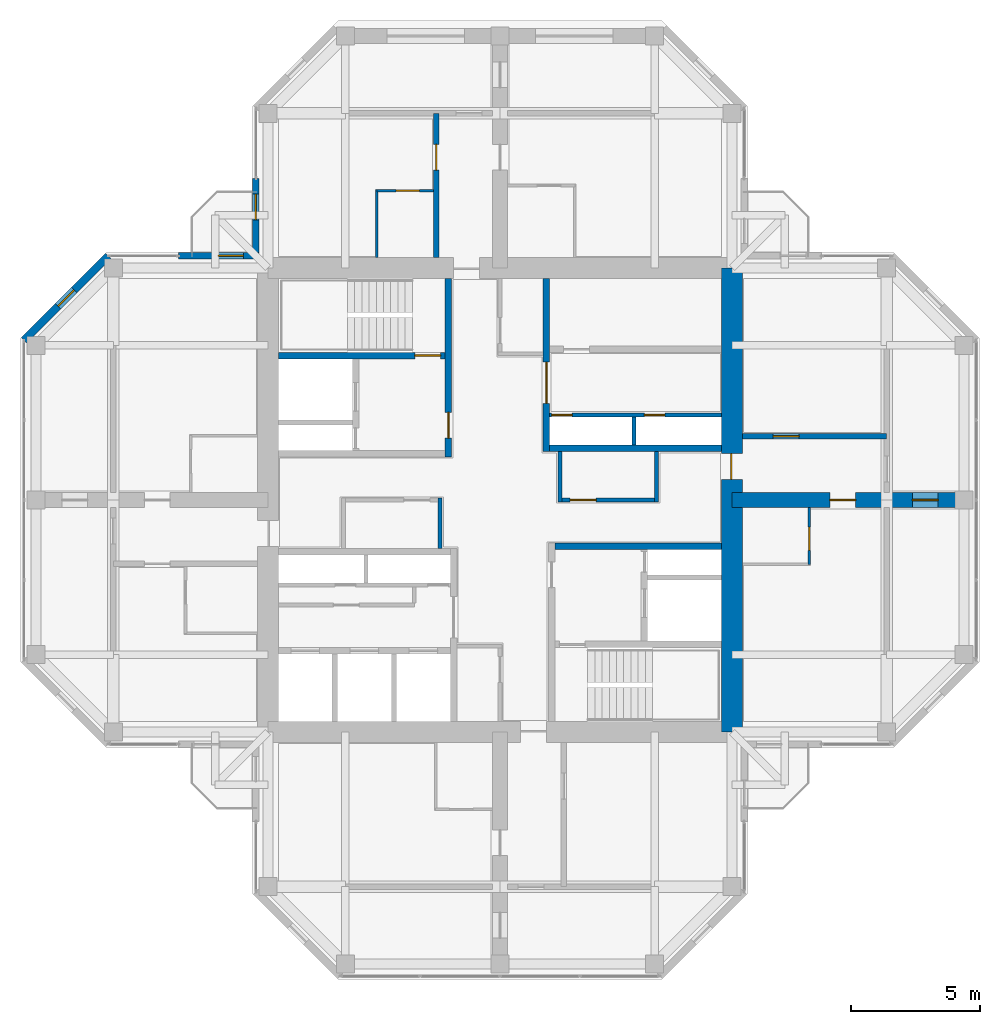
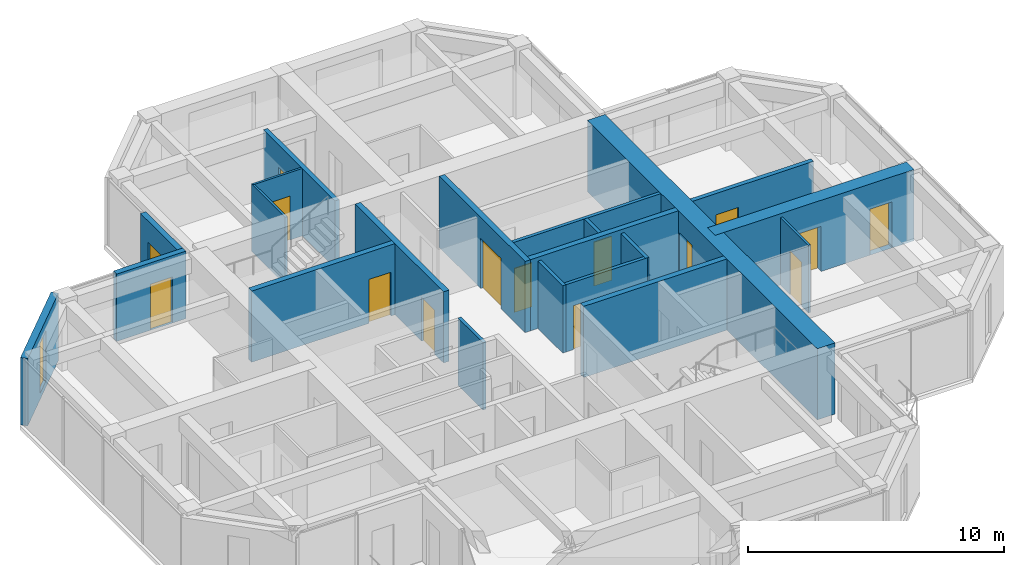
# One storey, part 10 of 13: 21 walls, 15 doors, 1 window, 16 openings.
"""IFC4 building model written with IfcOpenShell, lengths in metres."""

from ifc_helpers import new_model, si_unit, direction, frame, frame_2d, origin, place, context, subcontext, project, spatial, rectangle, hollow_rectangle, extrude, material, layer, layer_set, constituent, constituent_set, type_object, element, fill, save


model = new_model("IFC4")

# Units and contexts
model_context = context("Model", 3, precision=1e-05, world=origin(), true_north=direction((0.0, 1.0)))
body_context = subcontext(model_context, "Body", "Model", "MODEL_VIEW")
ifc_project = project(units=[si_unit("LENGTHUNIT", "METRE"), si_unit("AREAUNIT", "SQUARE_METRE"), si_unit("VOLUMEUNIT", "CUBIC_METRE"), si_unit("PLANEANGLEUNIT", "RADIAN"), si_unit("MASSUNIT", "GRAM", prefix="KILO")], contexts=[model_context])

# Site, building, storey
site_placement = place(None, origin())
site = spatial("IfcSite", under=ifc_project, at=site_placement, CompositionType="ELEMENT")
building_placement = place(site_placement, origin())
building = spatial("IfcBuilding", under=site, at=building_placement, Name="Torre Cruceta", CompositionType="ELEMENT")
storey_placement = place(building_placement, frame((0.0, 0.0, 271.300048828125)))
storey = spatial("IfcBuildingStorey", under=building, at=storey_placement, Name="L70", CompositionType="ELEMENT", Elevation=271.300048828125)

# Wall
ifc_material_1 = material(Name="Water-resistant plasterboard on steel studs", Category="steel")
ifc_layer_1 = layer(ifc_material_1, 0.10009765625)
ifc_layer_set_1 = layer_set([ifc_layer_1], Name="Water-resistant plasterboard on steel studs")
wall_type_1 = type_object("IfcWallType", Name="BATHROOM WALL 100", PredefinedType="PARTITIONING", material=ifc_layer_set_1)
wall_1_placement = place(storey_placement, frame((-4.77490234375, 9.39990234375, 0.0), z_axis=(0.0, 0.0, 1.0), x_axis=(0.0, 1.0, 0.0)))
element("IfcWall", 1, at=wall_1_placement, inside=storey, type_object=wall_type_1, Name="PT4 L70-N-U1LBB", PredefinedType="PARTITIONING", context=body_context, shape_type="SweptSolid", body=[
    extrude(rectangle(XDim=2.650146484375, YDim=0.10009765625, at=frame_2d((1.3251953125, 0.0))), origin(), (0.0, 0.0, 1.0), 3.219970703125),
])

# Wall, opening, door
wall_2_placement = place(storey_placement, frame((-2.574951171875, 12.0, 0.0), z_axis=(0.0, 0.0, 1.0), x_axis=(-1.0, 0.0, 0.0)))
wall_2 = element("IfcWall", 2, at=wall_2_placement, inside=storey, type_object=wall_type_1, Name="PT4 L70-N-U1LBS", PredefinedType="PARTITIONING", context=body_context, shape_type="SweptSolid", body=[
    extrude(rectangle(XDim=2.199951171875, YDim=0.10009765625, at=frame_2d((1.10009765625, 0.0))), origin(), (0.0, 0.0, 1.0), 3.219970703125),
])
opening_1_placement = place(wall_2_placement, frame((0.550048828125, 0.0, 0.0)))
opening_1 = element("IfcOpeningElement", 3, at=opening_1_placement, cuts=wall_2, Name="Opening D7", PredefinedType="OPENING", context=body_context, shape_type="SweptSolid", body=[
    extrude(rectangle(XDim=0.89990234375, YDim=2.10009765625, at=frame_2d((0.449951171875, 1.050048828125))), frame((0.0, 0.06005859375, 0.0), z_axis=(0.0, -1.0, 0.0), x_axis=(1.0, 0.0, 0.0)), (0.0, 0.0, 1.0), 0.1201171875),
])
ifc_material_2 = material(Name="Timber door", Category="wood")
door_type_1 = type_object("IfcDoorType", Name="BATHROOM DOOR 900X2100", OperationType="SINGLE_SWING_LEFT", PredefinedType="DOOR", material=ifc_material_2)
door_1_placement = place(opening_1_placement, origin())
door_1 = element("IfcDoor", 4, at=door_1_placement, inside=storey, type_object=door_type_1, Name="D7 L70-N-U1LBS-D1", OperationType="SINGLE_SWING_LEFT", OverallHeight=2.10009765625, OverallWidth=0.89990234375, PredefinedType="DOOR", context=body_context, shape_type="SweptSolid", body=[
    extrude(rectangle(XDim=0.89990234375, YDim=2.10009765625, at=frame_2d((0.449951171875, 1.050048828125))), frame((0.0, 0.02490234375, 0.0), z_axis=(0.0, -1.0, 0.0), x_axis=(1.0, 0.0, 0.0)), (0.0, 0.0, 1.0), 0.050048828125),
])
fill(opening_1, door_1)

wall_3_placement = place(storey_placement, frame((12.0, -2.5, 0.0), z_axis=(0.0, 0.0, 1.0), x_axis=(0.0, 1.0, 0.0)))
wall_3 = element("IfcWall", 5, at=wall_3_placement, inside=storey, type_object=wall_type_1, Name="PT4 L70-E-U1RBS", PredefinedType="PARTITIONING", context=body_context, shape_type="SweptSolid", body=[
    extrude(rectangle(XDim=2.199951171875, YDim=0.10009765625, at=frame_2d((1.10009765625, 0.0))), origin(), (0.0, 0.0, 1.0), 3.219970703125),
])
opening_2_placement = place(wall_3_placement, frame((0.550048828125, 0.0, 0.0)))
opening_2 = element("IfcOpeningElement", 6, at=opening_2_placement, cuts=wall_3, Name="Opening D7", PredefinedType="OPENING", context=body_context, shape_type="SweptSolid", body=[
    extrude(rectangle(XDim=0.89990234375, YDim=2.10009765625, at=frame_2d((0.449951171875, 1.050048828125))), frame((0.0, 0.06005859375, 0.0), z_axis=(0.0, -1.0, 0.0), x_axis=(1.0, 0.0, 0.0)), (0.0, 0.0, 1.0), 0.1201171875),
])
door_2_placement = place(opening_2_placement, origin())
door_2 = element("IfcDoor", 7, at=door_2_placement, inside=storey, type_object=door_type_1, Name="D7 L70-E-U1RBS-D1", OperationType="SINGLE_SWING_LEFT", OverallHeight=2.10009765625, OverallWidth=0.89990234375, PredefinedType="DOOR", context=body_context, shape_type="SweptSolid", body=[
    extrude(rectangle(XDim=0.89990234375, YDim=2.10009765625, at=frame_2d((0.449951171875, 1.050048828125))), frame((0.0, 0.02490234375, 0.0), z_axis=(0.0, -1.0, 0.0), x_axis=(1.0, 0.0, 0.0)), (0.0, 0.0, 1.0), 0.050048828125),
])
fill(opening_2, door_2)

ifc_material_3 = material(Name="Concrete G60 (fck 60 MPa)", Category="concrete")
ifc_layer_2 = layer(ifc_material_3, 0.25)
ifc_layer_set_2 = layer_set([ifc_layer_2], Name="Concrete G60 (fck 60 MPa)")
wall_type_2 = type_object("IfcWallType", Name="CORE INNER WALL 250 G60", PredefinedType="SHEAR", material=ifc_layer_set_2)
wall_4_placement = place(storey_placement, frame((1.800048828125, 1.875, 0.0), z_axis=(0.0, 0.0, 1.0), x_axis=(0.0, 1.0, 0.0)))
wall_4 = element("IfcWall", 8, at=wall_4_placement, inside=storey, type_object=wall_type_2, Name="CW4 L70 NE-CU", PredefinedType="SHEAR", context=body_context, shape_type="SweptSolid", body=[
    extrude(rectangle(XDim=6.72509765625, YDim=0.25, at=frame_2d((3.362548828125, 0.0))), origin(), (0.0, 0.0, 1.0), 3.39990234375),
])
opening_3_placement = place(wall_4_placement, frame((1.875, 0.0, 0.0)))
opening_3 = element("IfcOpeningElement", 9, at=opening_3_placement, cuts=wall_4, Name="Opening D15", PredefinedType="OPENING", context=body_context, shape_type="SweptSolid", body=[
    extrude(rectangle(XDim=1.60009765625, YDim=2.39990234375, at=frame_2d((0.800048828125, 1.199951171875))), frame((0.0, 0.135009765625, 0.0), z_axis=(0.0, -1.0, 0.0), x_axis=(1.0, 0.0, 0.0)), (0.0, 0.0, 1.0), 0.27001953125),
])
ifc_material_4 = material(Name="Steel DX51D", Category="steel")
ifc_constituent_1 = constituent(ifc_material_4, Name="Leaf and frame")
ifc_material_5 = material(Name="Polyester powder coating", Category="paint")
ifc_constituent_2 = constituent(ifc_material_5, Name="Finish")
ifc_constituent_set_1 = constituent_set(constituents=[ifc_constituent_1, ifc_constituent_2], Name="Steel fire door")
door_type_2 = type_object("IfcDoorType", Name="CORE ROOM DOUBLE DOOR 1600X2400", OperationType="DOUBLE_DOOR_SINGLE_SWING", PredefinedType="DOOR", material=ifc_constituent_set_1)
door_3_placement = place(opening_3_placement, frame((1.60009765625, 0.0, 0.0), z_axis=(0.0, 0.0, 1.0), x_axis=(-1.0, 0.0, 0.0)))
door_3 = element("IfcDoor", 10, at=door_3_placement, inside=storey, type_object=door_type_2, Name="D15 L70 NE-LOBBY", OperationType="DOUBLE_DOOR_SINGLE_SWING", OverallHeight=2.39990234375, OverallWidth=1.60009765625, PredefinedType="DOOR", context=body_context, shape_type="SweptSolid", body=[
    extrude(rectangle(XDim=1.60009765625, YDim=2.39990234375, at=frame_2d((0.800048828125, 1.199951171875))), frame((0.0, 0.025146484375, 0.0), z_axis=(0.0, -1.0, 0.0), x_axis=(1.0, 0.0, 0.0)), (0.0, 0.0, 1.0), 0.050048828125),
])
fill(opening_3, door_3)

# Wall
wall_5_placement = place(storey_placement, frame((1.925048828125, 2.0, 0.0), z_axis=(0.0, 0.0, 1.0), x_axis=(1.0, 0.0, 0.0)))
element("IfcWall", 11, at=wall_5_placement, inside=storey, type_object=wall_type_2, Name="CW4 L70 NE-CV", PredefinedType="SHEAR", context=body_context, shape_type="SweptSolid", body=[
    extrude(rectangle(XDim=6.675048828125, YDim=0.25, at=frame_2d((3.33740234375, 0.0))), origin(), (0.0, 0.0, 1.0), 3.39990234375),
])

# Wall, opening, door
wall_6_placement = place(storey_placement, frame((-2.0, 1.675048828125, 0.0), z_axis=(0.0, 0.0, 1.0), x_axis=(0.0, 1.0, 0.0)))
wall_6 = element("IfcWall", 12, at=wall_6_placement, inside=storey, type_object=wall_type_2, Name="CW4 L70 NW-CU", PredefinedType="SHEAR", context=body_context, shape_type="SweptSolid", body=[
    extrude(rectangle(XDim=6.925048828125, YDim=0.25, at=frame_2d((3.46240234375, 0.0))), origin(), (0.0, 0.0, 1.0), 3.39990234375),
])
opening_4_placement = place(wall_6_placement, frame((0.72509765625, 0.0, 0.0)))
opening_4 = element("IfcOpeningElement", 13, at=opening_4_placement, cuts=wall_6, Name="Opening D3", PredefinedType="OPENING", context=body_context, shape_type="SweptSolid", body=[
    extrude(rectangle(XDim=1.0, YDim=2.10009765625, at=frame_2d((0.5, 1.050048828125))), frame((0.0, 0.135009765625, 0.0), z_axis=(0.0, -1.0, 0.0), x_axis=(1.0, 0.0, 0.0)), (0.0, 0.0, 1.0), 0.27001953125),
])
ifc_material_6 = material(Name="Steel DX51D", Category="steel")
ifc_constituent_3 = constituent(ifc_material_6, Name="Leaf and frame")
ifc_material_7 = material(Name="Polyester powder coating", Category="paint")
ifc_constituent_4 = constituent(ifc_material_7, Name="Finish")
ifc_constituent_set_2 = constituent_set(constituents=[ifc_constituent_3, ifc_constituent_4], Name="Steel fire door")
door_type_3 = type_object("IfcDoorType", Name="FIRE DOOR 1000X2100", OperationType="SINGLE_SWING_LEFT", PredefinedType="DOOR", material=ifc_constituent_set_2)
door_4_placement = place(opening_4_placement, origin())
door_4 = element("IfcDoor", 14, at=door_4_placement, inside=storey, type_object=door_type_3, Name="D3 L70 NW-LOBBY", OperationType="SINGLE_SWING_LEFT", OverallHeight=2.10009765625, OverallWidth=1.0, PredefinedType="DOOR", context=body_context, shape_type="SweptSolid", body=[
    extrude(rectangle(XDim=1.0, YDim=2.10009765625, at=frame_2d((0.5, 1.050048828125))), frame((0.0, 0.02490234375, 0.0), z_axis=(0.0, -1.0, 0.0), x_axis=(1.0, 0.0, 0.0)), (0.0, 0.0, 1.0), 0.050048828125),
])
fill(opening_4, door_4)

wall_7_placement = place(storey_placement, frame((-2.125, 5.60009765625, 0.0), z_axis=(0.0, 0.0, 1.0), x_axis=(-1.0, 0.0, 0.0)))
wall_7 = element("IfcWall", 15, at=wall_7_placement, inside=storey, type_object=wall_type_2, Name="CW4 L70 NW-SV", PredefinedType="SHEAR", context=body_context, shape_type="SweptSolid", body=[
    extrude(rectangle(XDim=6.47509765625, YDim=0.25, at=frame_2d((3.237548828125, 0.0))), origin(), (0.0, 0.0, 1.0), 3.39990234375),
])
opening_5_placement = place(wall_7_placement, frame((0.175048828125, 0.0, 0.0)))
opening_5 = element("IfcOpeningElement", 16, at=opening_5_placement, cuts=wall_7, Name="Opening D3", PredefinedType="OPENING", context=body_context, shape_type="SweptSolid", body=[
    extrude(rectangle(XDim=1.0, YDim=2.10009765625, at=frame_2d((0.5, 1.050048828125))), frame((0.0, 0.135009765625, 0.0), z_axis=(0.0, -1.0, 0.0), x_axis=(1.0, 0.0, 0.0)), (0.0, 0.0, 1.0), 0.27001953125),
])
door_5_placement = place(opening_5_placement, frame((1.0, 0.0, 0.0), z_axis=(0.0, 0.0, 1.0), x_axis=(-1.0, 0.0, 0.0)))
door_5 = element("IfcDoor", 17, at=door_5_placement, inside=storey, type_object=door_type_3, Name="D3 L70 NW-STAIR", OperationType="SINGLE_SWING_RIGHT", OverallHeight=2.10009765625, OverallWidth=1.0, PredefinedType="DOOR", context=body_context, shape_type="SweptSolid", body=[
    extrude(rectangle(XDim=1.0, YDim=2.10009765625, at=frame_2d((0.5, 1.050048828125))), frame((0.0, 0.025146484375, 0.0), z_axis=(0.0, -1.0, 0.0), x_axis=(1.0, 0.0, 0.0)), (0.0, 0.0, 1.0), 0.050048828125),
])
fill(opening_5, door_5)

# Wall
wall_8_placement = place(storey_placement, frame((2.125, -1.800048828125, 0.0), z_axis=(0.0, 0.0, 1.0), x_axis=(1.0, 0.0, 0.0)))
element("IfcWall", 18, at=wall_8_placement, inside=storey, type_object=wall_type_2, Name="CW4 L70 SE-CV", PredefinedType="SHEAR", context=body_context, shape_type="SweptSolid", body=[
    extrude(rectangle(XDim=6.47509765625, YDim=0.25, at=frame_2d((3.237548828125, 0.0))), origin(), (0.0, 0.0, 1.0), 3.39990234375),
])

# Wall, opening, door
ifc_material_8 = material(Name="Concrete G60 (fck 60 MPa)", Category="concrete")
ifc_layer_3 = layer(ifc_material_8, 0.800048828125)
ifc_layer_set_3 = layer_set([ifc_layer_3], Name="Concrete G60 (fck 60 MPa)")
wall_type_3 = type_object("IfcWallType", Name="CORE WALL 800 G60", PredefinedType="SHEAR", material=ifc_layer_set_3)
wall_9_placement = place(storey_placement, frame((9.0, -9.0, 0.0), z_axis=(0.0, 0.0, 1.0), x_axis=(0.0, 1.0, 0.0)))
wall_9 = element("IfcWall", 19, at=wall_9_placement, inside=storey, type_object=wall_type_3, Name="CW3 L70 CW-E", PredefinedType="SHEAR", context=body_context, shape_type="SweptSolid", body=[
    extrude(rectangle(XDim=18.0, YDim=0.800048828125, at=frame_2d((9.0, 0.0))), origin(), (0.0, 0.0, 1.0), 3.39990234375),
])
opening_6_placement = place(wall_9_placement, frame((9.800048828125, 0.0, 0.0)))
opening_6 = element("IfcOpeningElement", 20, at=opening_6_placement, cuts=wall_9, Name="Opening D4", PredefinedType="OPENING", context=body_context, shape_type="SweptSolid", body=[
    extrude(rectangle(XDim=1.0, YDim=2.39990234375, at=frame_2d((0.5, 1.199951171875))), frame((0.0, 0.409912109375, 0.0), z_axis=(0.0, -1.0, 0.0), x_axis=(1.0, 0.0, 0.0)), (0.0, 0.0, 1.0), 0.820068359375),
])
ifc_material_9 = material(Name="Steel DX51D", Category="steel")
ifc_constituent_5 = constituent(ifc_material_9, Name="Leaf and frame")
ifc_material_10 = material(Name="Polyester powder coating", Category="paint")
ifc_constituent_6 = constituent(ifc_material_10, Name="Finish")
ifc_constituent_set_3 = constituent_set(constituents=[ifc_constituent_5, ifc_constituent_6], Name="Steel fire door")
door_type_4 = type_object("IfcDoorType", Name="CORE ARM DOOR 1000X2400", OperationType="SINGLE_SWING_RIGHT", PredefinedType="DOOR", material=ifc_constituent_set_3)
door_6_placement = place(opening_6_placement, origin())
door_6 = element("IfcDoor", 21, at=door_6_placement, inside=storey, type_object=door_type_4, Name="D4 L70 CW-E", OperationType="SINGLE_SWING_RIGHT", OverallHeight=2.39990234375, OverallWidth=1.0, PredefinedType="DOOR", context=body_context, shape_type="SweptSolid", body=[
    extrude(rectangle(XDim=1.0, YDim=2.39990234375, at=frame_2d((0.5, 1.199951171875))), frame((0.0, 0.05517578125, 0.0), z_axis=(0.0, -1.0, 0.0), x_axis=(1.0, 0.0, 0.0)), (0.0, 0.0, 1.0), 0.050048828125),
])
fill(opening_6, door_6)

ifc_material_11 = material(Name="Concrete G25 (fck 25 MPa)", Category="concrete")
ifc_layer_4 = layer(ifc_material_11, 0.199951171875)
ifc_layer_set_4 = layer_set([ifc_layer_4], Name="Concrete G25 (fck 25 MPa)")
wall_type_4 = type_object("IfcWallType", Name="CORRIDOR WALL 200", PredefinedType="SOLIDWALL", material=ifc_layer_set_4)
wall_10_placement = place(storey_placement, frame((-2.47509765625, 9.39990234375, 0.0), z_axis=(0.0, 0.0, 1.0), x_axis=(0.0, 1.0, 0.0)))
wall_10 = element("IfcWall", 22, at=wall_10_placement, inside=storey, type_object=wall_type_4, Name="PT3 L70-N-CL", PredefinedType="SOLIDWALL", context=body_context, shape_type="SweptSolid", body=[
    extrude(rectangle(XDim=5.60009765625, YDim=0.199951171875, at=frame_2d((2.800048828125, 0.0))), origin(), (0.0, 0.0, 1.0), 3.219970703125),
])
opening_7_placement = place(wall_10_placement, frame((3.39990234375, 0.0, 0.0)))
opening_7 = element("IfcOpeningElement", 23, at=opening_7_placement, cuts=wall_10, Name="Opening D6", PredefinedType="OPENING", context=body_context, shape_type="SweptSolid", body=[
    extrude(rectangle(XDim=1.0, YDim=2.14990234375, at=frame_2d((0.5, 1.074951171875))), frame((0.0, 0.10986328125, 0.0), z_axis=(0.0, -1.0, 0.0), x_axis=(1.0, 0.0, 0.0)), (0.0, 0.0, 1.0), 0.219970703125),
])
ifc_material_12 = material(Name="Timber fire door", Category="wood")
door_type_5 = type_object("IfcDoorType", Name="UNIT ENTRANCE DOOR 1000X2150", OperationType="SINGLE_SWING_LEFT", PredefinedType="DOOR", material=ifc_material_12)
door_7_placement = place(opening_7_placement, origin())
door_7 = element("IfcDoor", 24, at=door_7_placement, inside=storey, type_object=door_type_5, Name="D6 L70-N-CL-D1", OperationType="SINGLE_SWING_LEFT", OverallHeight=2.14990234375, OverallWidth=1.0, PredefinedType="DOOR", context=body_context, shape_type="SweptSolid", body=[
    extrude(rectangle(XDim=1.0, YDim=2.14990234375, at=frame_2d((0.5, 1.074951171875))), frame((0.0, 0.02490234375, 0.0), z_axis=(0.0, -1.0, 0.0), x_axis=(1.0, 0.0, 0.0)), (0.0, 0.0, 1.0), 0.050048828125),
])
fill(opening_7, door_7)

wall_11_placement = place(storey_placement, frame((9.39990234375, 2.47509765625, 0.0), z_axis=(0.0, 0.0, 1.0), x_axis=(1.0, 0.0, 0.0)))
wall_11 = element("IfcWall", 25, at=wall_11_placement, inside=storey, type_object=wall_type_4, Name="PT3 L70-E-CL", PredefinedType="SOLIDWALL", context=body_context, shape_type="SweptSolid", body=[
    extrude(rectangle(XDim=5.60009765625, YDim=0.199951171875, at=frame_2d((2.800048828125, 0.0))), origin(), (0.0, 0.0, 1.0), 3.219970703125),
])
opening_8_placement = place(wall_11_placement, frame((1.199951171875, 0.0, 0.0)))
opening_8 = element("IfcOpeningElement", 26, at=opening_8_placement, cuts=wall_11, Name="Opening D14", PredefinedType="OPENING", context=body_context, shape_type="SweptSolid", body=[
    extrude(rectangle(XDim=1.0, YDim=2.199951171875, at=frame_2d((0.5, 1.10009765625))), frame((0.0, 0.10986328125, 0.0), z_axis=(0.0, -1.0, 0.0), x_axis=(1.0, 0.0, 0.0)), (0.0, 0.0, 1.0), 0.219970703125),
])
ifc_material_13 = material(Name="Steel DX51D", Category="steel")
ifc_constituent_7 = constituent(ifc_material_13, Name="Leaf and frame")
ifc_material_14 = material(Name="Polyester powder coating", Category="paint")
ifc_constituent_8 = constituent(ifc_material_14, Name="Finish")
ifc_material_15 = material(Name="Fire-resisting glass", Category="glass")
ifc_constituent_9 = constituent(ifc_material_15, Name="Vision panel")
ifc_constituent_set_4 = constituent_set(constituents=[ifc_constituent_7, ifc_constituent_8, ifc_constituent_9], Name="Steel fire door with vision panel")
door_type_6 = type_object("IfcDoorType", Name="FIRE DOOR VISION PANEL 1000X2200", OperationType="SINGLE_SWING_RIGHT", PredefinedType="DOOR", material=ifc_constituent_set_4)
door_8_placement = place(opening_8_placement, origin())
door_8 = element("IfcDoor", 27, at=door_8_placement, inside=storey, type_object=door_type_6, Name="D14 L70-E-CL-D1", OperationType="SINGLE_SWING_LEFT", OverallHeight=2.199951171875, OverallWidth=1.0, PredefinedType="DOOR", context=body_context, shape_type="SweptSolid", body=[
    extrude(rectangle(XDim=1.0, YDim=2.199951171875, at=frame_2d((0.5, 1.10009765625))), frame((0.0, 0.02490234375, 0.0), z_axis=(0.0, -1.0, 0.0), x_axis=(1.0, 0.0, 0.0)), (0.0, 0.0, 1.0), 0.050048828125),
])
fill(opening_8, door_8)

# Wall, opening, window
ifc_material_16 = material(Name="Concrete G30 (fck 30 MPa)", Category="concrete")
ifc_layer_5 = layer(ifc_material_16, 0.300048828125)
ifc_layer_set_5 = layer_set([ifc_layer_5], Name="Concrete G30 (fck 30 MPa)")
wall_type_5 = type_object("IfcWallType", Name="EXPOSED CONCRETE FACADE WALL 300", PredefinedType="SOLIDWALL", material=ifc_layer_set_5)
wall_12_placement = place(storey_placement, frame((-15.194580078125, 9.469970703125, 0.0), z_axis=(0.0, 0.0, 1.0), x_axis=(-0.707106781187, -0.707106781187, 0.0)))
wall_12 = element("IfcWall", 28, at=wall_12_placement, inside=storey, type_object=wall_type_5, Name="EW1 facade wall L70 W chamfer 11", PredefinedType="SOLIDWALL", context=body_context, shape_type="SweptSolid", body=[
    extrude(rectangle(XDim=4.632080078125, YDim=0.300048828125, at=frame_2d((2.31591796875, 0.0))), origin(), (0.0, 0.0, 1.0), 3.219970703125),
])
opening_9_placement = place(wall_12_placement, frame((1.865966796875, 0.0, 0.300048828125)))
opening_9 = element("IfcOpeningElement", 29, at=opening_9_placement, cuts=wall_12, Name="Opening WN5", PredefinedType="OPENING", context=body_context, shape_type="SweptSolid", body=[
    extrude(rectangle(XDim=0.89990234375, YDim=2.39990234375, at=frame_2d((0.449951171875, 1.199951171875))), frame((0.0, 0.159912109375, 0.0), z_axis=(0.0, -1.0, 0.0), x_axis=(1.0, 0.0, 0.0)), (0.0, 0.0, 1.0), 0.320068359375),
])
ifc_material_17 = material(Name="Aluminium window frame", Category="aluminium")
ifc_constituent_10 = constituent(ifc_material_17, Name="Frame")
ifc_material_18 = material(Name="Laminated insulating glass unit, low-iron clear", Category="glass")
ifc_constituent_11 = constituent(ifc_material_18, Name="Glazing")
ifc_constituent_set_5 = constituent_set(constituents=[ifc_constituent_10, ifc_constituent_11], Name="Aluminium window")
window_type = type_object("IfcWindowType", Name="CHAMFER SLOT WINDOW 900X2400", PartitioningType="SINGLE_PANEL", PredefinedType="WINDOW", material=ifc_constituent_set_5)
window_placement = place(opening_9_placement, origin())
window = element("IfcWindow", 30, at=window_placement, inside=storey, type_object=window_type, Name="WN5 L70 W 1", OverallHeight=2.39990234375, OverallWidth=0.89990234375, PartitioningType="SINGLE_PANEL", PredefinedType="WINDOW", context=body_context, shape_type="SweptSolid", body=[
    extrude(hollow_rectangle(XDim=0.89990234375, YDim=2.39990234375, WallThickness=0.06005859375, at=frame_2d((0.449951171875, 1.199951171875))), frame((0.0, 0.030029296875, 0.0), z_axis=(0.0, -1.0, 0.0), x_axis=(1.0, 0.0, 0.0)), (0.0, 0.0, 1.0), 0.06005859375),
    extrude(rectangle(XDim=0.77880859375, YDim=2.27880859375, at=frame_2d((0.449951171875, 1.199951171875))), frame((0.0, 0.030029296875, 0.0), z_axis=(0.0, -1.0, 0.0), x_axis=(1.0, 0.0, 0.0)), (0.0, 0.0, 1.0), 0.06005859375),
])
fill(opening_9, window)

# Wall, opening, door
ifc_material_19 = material(Name="Plasterboard on steel studs", Category="steel")
ifc_layer_6 = layer(ifc_material_19, 0.14990234375)
ifc_layer_set_6 = layer_set([ifc_layer_6], Name="Plasterboard on steel studs")
wall_type_6 = type_object("IfcWallType", Name="PARTITION 150", PredefinedType="PARTITIONING", material=ifc_layer_set_6)
wall_13_placement = place(storey_placement, frame((2.324951171875, 0.0, 0.0), z_axis=(0.0, 0.0, 1.0), x_axis=(1.0, 0.0, 0.0)))
wall_13 = element("IfcWall", 31, at=wall_13_placement, inside=storey, type_object=wall_type_6, Name="PT1 L70-CORE-LEGE-N-W1", PredefinedType="PARTITIONING", context=body_context, shape_type="SweptSolid", body=[
    extrude(rectangle(XDim=3.75, YDim=0.14990234375, at=frame_2d((1.875, 0.0))), origin(), (0.0, 0.0, 1.0), 3.219970703125),
])
opening_10_placement = place(wall_13_placement, frame((0.39990234375, 0.0, 0.0)))
opening_10 = element("IfcOpeningElement", 32, at=opening_10_placement, cuts=wall_13, Name="Opening D3", PredefinedType="OPENING", context=body_context, shape_type="SweptSolid", body=[
    extrude(rectangle(XDim=1.0, YDim=2.10009765625, at=frame_2d((0.5, 1.050048828125))), frame((0.0, 0.0849609375, 0.0), z_axis=(0.0, -1.0, 0.0), x_axis=(1.0, 0.0, 0.0)), (0.0, 0.0, 1.0), 0.169921875),
])
door_9_placement = place(opening_10_placement, origin())
door_9 = element("IfcDoor", 33, at=door_9_placement, inside=storey, type_object=door_type_3, Name="D3 L70-CORE-LEGE-N-W1-D1", OperationType="SINGLE_SWING_LEFT", OverallHeight=2.10009765625, OverallWidth=1.0, PredefinedType="DOOR", context=body_context, shape_type="SweptSolid", body=[
    extrude(rectangle(XDim=1.0, YDim=2.10009765625, at=frame_2d((0.5, 1.050048828125))), frame((0.0, 0.02490234375, 0.0), z_axis=(0.0, -1.0, 0.0), x_axis=(1.0, 0.0, 0.0)), (0.0, 0.0, 1.0), 0.050048828125),
])
fill(opening_10, door_9)

# Walls
for number, where, z_axis, x_axis, name in (
    (34, (2.324951171875, 1.875, 0.0), (0.0, 0.0, 1.0), (0.0, -1.0, 0.0), "PT1 L70-CORE-LEGE-N-W2"),
    (35, (6.074951171875, -0.074951171875, 0.0), (0.0, 0.0, 1.0), (0.0, 1.0, 0.0), "PT1 L70-CORE-LEGE-N-W3"),
    (36, (-2.324951171875, -1.875, 0.0), (0.0, 0.0, 1.0), (0.0, 1.0, 0.0), "PT1 L70-CORE-LEGW-S-W2"),
):
    element("IfcWall", number, at=place(storey_placement, frame(where, z_axis=z_axis, x_axis=x_axis)), inside=storey, type_object=wall_type_6, Name=name, PredefinedType="PARTITIONING", context=body_context, shape_type="SweptSolid", body=[
        extrude(rectangle(XDim=1.949951171875, YDim=0.14990234375, at=frame_2d((0.97509765625, 0.0))), origin(), (0.0, 0.0, 1.0), 3.219970703125),
    ])

# Wall, openings, doors
ifc_material_20 = material(Name="Concrete block masonry", Category="masonry")
ifc_layer_7 = layer(ifc_material_20, 0.14990234375)
ifc_layer_set_7 = layer_set([ifc_layer_7], Name="Concrete block masonry")
wall_type_7 = type_object("IfcWallType", Name="RISER WALL 150", PredefinedType="PARTITIONING", material=ifc_layer_set_7)
wall_14_placement = place(storey_placement, frame((1.925048828125, 3.300048828125, 0.0), z_axis=(0.0, 0.0, 1.0), x_axis=(1.0, 0.0, 0.0)))
wall_14 = element("IfcWall", 37, at=wall_14_placement, inside=storey, type_object=wall_type_7, Name="SW7 L70 NE-RV", PredefinedType="PARTITIONING", context=body_context, shape_type="SweptSolid", body=[
    extrude(rectangle(XDim=6.675048828125, YDim=0.14990234375, at=frame_2d((3.33740234375, 0.0))), origin(), (0.0, 0.0, 1.0), 3.39990234375),
])
opening_11_placement = place(wall_14_placement, frame((0.074951171875, 0.0, 0.0)))
opening_11 = element("IfcOpeningElement", 38, at=opening_11_placement, cuts=wall_14, Name="Opening D5", PredefinedType="OPENING", context=body_context, shape_type="SweptSolid", body=[
    extrude(rectangle(XDim=0.800048828125, YDim=2.10009765625, at=frame_2d((0.39990234375, 1.050048828125))), frame((0.0, 0.0849609375, 0.0), z_axis=(0.0, -1.0, 0.0), x_axis=(1.0, 0.0, 0.0)), (0.0, 0.0, 1.0), 0.169921875),
])
opening_12_placement = place(wall_14_placement, frame((3.675048828125, 0.0, 0.0)))
opening_12 = element("IfcOpeningElement", 39, at=opening_12_placement, cuts=wall_14, Name="Opening D5", PredefinedType="OPENING", context=body_context, shape_type="SweptSolid", body=[
    extrude(rectangle(XDim=0.800048828125, YDim=2.10009765625, at=frame_2d((0.39990234375, 1.050048828125))), frame((0.0, 0.0849609375, 0.0), z_axis=(0.0, -1.0, 0.0), x_axis=(1.0, 0.0, 0.0)), (0.0, 0.0, 1.0), 0.169921875),
])
ifc_material_21 = material(Name="Steel DX51D", Category="steel")
ifc_constituent_12 = constituent(ifc_material_21, Name="Leaf and frame")
ifc_material_22 = material(Name="Polyester powder coating", Category="paint")
ifc_constituent_13 = constituent(ifc_material_22, Name="Finish")
ifc_constituent_set_6 = constituent_set(constituents=[ifc_constituent_12, ifc_constituent_13], Name="Steel fire door")
door_type_7 = type_object("IfcDoorType", Name="RISER ACCESS DOOR 800X2100", OperationType="SINGLE_SWING_LEFT", PredefinedType="DOOR", material=ifc_constituent_set_6)
door_10_placement = place(opening_11_placement, frame((0.800048828125, 0.0, 0.0), z_axis=(0.0, 0.0, 1.0), x_axis=(-1.0, 0.0, 0.0)))
door_10 = element("IfcDoor", 40, at=door_10_placement, inside=storey, type_object=door_type_7, Name="D5 L70 NE-RISER1", OperationType="SINGLE_SWING_RIGHT", OverallHeight=2.10009765625, OverallWidth=0.800048828125, PredefinedType="DOOR", context=body_context, shape_type="SweptSolid", body=[
    extrude(rectangle(XDim=0.800048828125, YDim=2.10009765625, at=frame_2d((0.400146484375, 1.050048828125))), frame((0.0, 0.025146484375, 0.0), z_axis=(0.0, -1.0, 0.0), x_axis=(1.0, 0.0, 0.0)), (0.0, 0.0, 1.0), 0.050048828125),
])
fill(opening_11, door_10)
door_11_placement = place(opening_12_placement, frame((0.800048828125, 0.0, 0.0), z_axis=(0.0, 0.0, 1.0), x_axis=(-1.0, 0.0, 0.0)))
door_11 = element("IfcDoor", 41, at=door_11_placement, inside=storey, type_object=door_type_7, Name="D5 L70 NE-RISER2", OperationType="SINGLE_SWING_RIGHT", OverallHeight=2.10009765625, OverallWidth=0.800048828125, PredefinedType="DOOR", context=body_context, shape_type="SweptSolid", body=[
    extrude(rectangle(XDim=0.800048828125, YDim=2.10009765625, at=frame_2d((0.400146484375, 1.050048828125))), frame((0.0, 0.025146484375, 0.0), z_axis=(0.0, -1.0, 0.0), x_axis=(1.0, 0.0, 0.0)), (0.0, 0.0, 1.0), 0.050048828125),
])
fill(opening_12, door_11)

# Wall
wall_15_placement = place(storey_placement, frame((5.199951171875, 2.125, 0.0), z_axis=(0.0, 0.0, 1.0), x_axis=(0.0, 1.0, 0.0)))
element("IfcWall", 42, at=wall_15_placement, inside=storey, type_object=wall_type_7, Name="SW7 L70 NE-RU", PredefinedType="PARTITIONING", context=body_context, shape_type="SweptSolid", body=[
    extrude(rectangle(XDim=1.10009765625, YDim=0.14990234375, at=frame_2d((0.550048828125, 0.0))), origin(), (0.0, 0.0, 1.0), 3.39990234375),
])

# Wall, openings, doors
ifc_material_23 = material(Name="Concrete G60 (fck 60 MPa)", Category="concrete")
ifc_layer_8 = layer(ifc_material_23, 0.60009765625)
ifc_layer_set_8 = layer_set([ifc_layer_8], Name="Concrete G60 (fck 60 MPa)")
wall_type_8 = type_object("IfcWallType", Name="SPINE WALL 600 G60", PredefinedType="SHEAR", material=ifc_layer_set_8)
wall_16_placement = place(storey_placement, frame((9.0, 0.0, 0.0), z_axis=(0.0, 0.0, 1.0), x_axis=(1.0, 0.0, 0.0)))
wall_16 = element("IfcWall", 43, at=wall_16_placement, inside=storey, type_object=wall_type_8, Name="SW5 spine wall L70 E", PredefinedType="SHEAR", context=body_context, shape_type="SweptSolid", body=[
    extrude(rectangle(XDim=9.0, YDim=0.60009765625, at=frame_2d((4.5, 0.0))), origin(), (0.0, 0.0, 1.0), 3.39990234375),
])
opening_13_placement = place(wall_16_placement, frame((3.800048828125, 0.0, 0.0)))
opening_13 = element("IfcOpeningElement", 44, at=opening_13_placement, cuts=wall_16, Name="Opening D6", PredefinedType="OPENING", context=body_context, shape_type="SweptSolid", body=[
    extrude(rectangle(XDim=1.0, YDim=2.14990234375, at=frame_2d((0.5, 1.074951171875))), frame((0.0, 0.31005859375, 0.0), z_axis=(0.0, -1.0, 0.0), x_axis=(1.0, 0.0, 0.0)), (0.0, 0.0, 1.0), 0.6201171875),
])
opening_14_placement = place(wall_16_placement, frame((7.0, 0.0, 0.0)))
opening_14 = element("IfcOpeningElement", 45, at=opening_14_placement, cuts=wall_16, Name="Opening D14", PredefinedType="OPENING", context=body_context, shape_type="SweptSolid", body=[
    extrude(rectangle(XDim=1.0, YDim=2.199951171875, at=frame_2d((0.5, 1.10009765625))), frame((0.0, 0.31005859375, 0.0), z_axis=(0.0, -1.0, 0.0), x_axis=(1.0, 0.0, 0.0)), (0.0, 0.0, 1.0), 0.6201171875),
])
door_12_placement = place(opening_14_placement, origin())
door_12 = element("IfcDoor", 46, at=door_12_placement, inside=storey, type_object=door_type_6, Name="D14 L70-E-SP2", OperationType="SINGLE_SWING_LEFT", OverallHeight=2.199951171875, OverallWidth=1.0, PredefinedType="DOOR", context=body_context, shape_type="SweptSolid", body=[
    extrude(rectangle(XDim=1.0, YDim=2.199951171875, at=frame_2d((0.5, 1.10009765625))), frame((0.0, 0.02490234375, 0.0), z_axis=(0.0, -1.0, 0.0), x_axis=(1.0, 0.0, 0.0)), (0.0, 0.0, 1.0), 0.050048828125),
])
fill(opening_14, door_12)
door_13_placement = place(opening_13_placement, frame((1.0, 0.0, 0.0), z_axis=(0.0, 0.0, 1.0), x_axis=(-1.0, 0.0, 0.0)))
door_13 = element("IfcDoor", 47, at=door_13_placement, inside=storey, type_object=door_type_5, Name="D6 L70-E-SP1", OperationType="SINGLE_SWING_RIGHT", OverallHeight=2.14990234375, OverallWidth=1.0, PredefinedType="DOOR", context=body_context, shape_type="SweptSolid", body=[
    extrude(rectangle(XDim=1.0, YDim=2.14990234375, at=frame_2d((0.5, 1.074951171875))), frame((0.0, 0.025146484375, 0.0), z_axis=(0.0, -1.0, 0.0), x_axis=(1.0, 0.0, 0.0)), (0.0, 0.0, 1.0), 0.050048828125),
])
fill(opening_13, door_13)

# Wall, opening, door
ifc_material_24 = material(Name="Concrete G30 (fck 30 MPa)", Category="concrete")
ifc_layer_9 = layer(ifc_material_24, 0.25)
ifc_layer_set_9 = layer_set([ifc_layer_9], Name="Concrete G30 (fck 30 MPa)")
wall_type_9 = type_object("IfcWallType", Name="WINTER GARDEN WALL 250", PredefinedType="SOLIDWALL", material=ifc_layer_set_9)
wall_17_placement = place(storey_placement, frame((-9.469970703125, 12.469970703125, 0.0), z_axis=(0.0, 0.0, 1.0), x_axis=(0.0, -1.0, 0.0)))
wall_17 = element("IfcWall", 48, at=wall_17_placement, inside=storey, type_object=wall_type_9, Name="EW2 winter garden wall L70 09", PredefinedType="SOLIDWALL", context=body_context, shape_type="SweptSolid", body=[
    extrude(rectangle(XDim=2.875, YDim=0.25, at=frame_2d((1.4375, 0.0))), origin(), (0.0, 0.0, 1.0), 3.219970703125),
])
opening_15_placement = place(wall_17_placement, frame((0.60009765625, 0.0, 0.0)))
opening_15 = element("IfcOpeningElement", 49, at=opening_15_placement, cuts=wall_17, Name="Opening D10", PredefinedType="OPENING", context=body_context, shape_type="SweptSolid", body=[
    extrude(rectangle(XDim=1.0, YDim=2.199951171875, at=frame_2d((0.5, 1.10009765625))), frame((0.0, 0.135009765625, 0.0), z_axis=(0.0, -1.0, 0.0), x_axis=(1.0, 0.0, 0.0)), (0.0, 0.0, 1.0), 0.27001953125),
])
ifc_material_25 = material(Name="Aluminium door frame", Category="aluminium")
ifc_constituent_14 = constituent(ifc_material_25, Name="Frame")
ifc_material_26 = material(Name="Laminated safety glass", Category="glass")
ifc_constituent_15 = constituent(ifc_material_26, Name="Glazing")
ifc_constituent_set_7 = constituent_set(constituents=[ifc_constituent_14, ifc_constituent_15], Name="Aluminium glazed door")
door_type_8 = type_object("IfcDoorType", Name="BALCONY DOOR 1000X2200", OperationType="SINGLE_SWING_RIGHT", PredefinedType="DOOR", material=ifc_constituent_set_7)
door_14_placement = place(opening_15_placement, origin())
door_14 = element("IfcDoor", 50, at=door_14_placement, inside=storey, type_object=door_type_8, Name="D10 balcony door L70 09", OperationType="SINGLE_SWING_RIGHT", OverallHeight=2.199951171875, OverallWidth=1.0, PredefinedType="DOOR", context=body_context, shape_type="SweptSolid", body=[
    extrude(hollow_rectangle(XDim=1.0, YDim=2.199951171875, WallThickness=0.06005859375, at=frame_2d((0.5, 1.10009765625))), frame((0.0, 0.02490234375, 0.0), z_axis=(0.0, -1.0, 0.0), x_axis=(1.0, 0.0, 0.0)), (0.0, 0.0, 1.0), 0.050048828125),
    extrude(rectangle(XDim=0.87890625, YDim=2.078857421875, at=frame_2d((0.5, 1.10009765625))), frame((0.0, 0.02490234375, 0.0), z_axis=(0.0, -1.0, 0.0), x_axis=(1.0, 0.0, 0.0)), (0.0, 0.0, 1.0), 0.050048828125),
])
fill(opening_15, door_14)

wall_18_placement = place(storey_placement, frame((-9.344970703125, 9.469970703125, 0.0), z_axis=(0.0, 0.0, 1.0), x_axis=(-1.0, 0.0, 0.0)))
wall_18 = element("IfcWall", 51, at=wall_18_placement, inside=storey, type_object=wall_type_9, Name="EW2 winter garden wall L70 10", PredefinedType="SOLIDWALL", context=body_context, shape_type="SweptSolid", body=[
    extrude(rectangle(XDim=3.125, YDim=0.25, at=frame_2d((1.5625, 0.0))), origin(), (0.0, 0.0, 1.0), 3.219970703125),
])
opening_16_placement = place(wall_18_placement, frame((0.60009765625, 0.0, 0.0)))
opening_16 = element("IfcOpeningElement", 52, at=opening_16_placement, cuts=wall_18, Name="Opening D10", PredefinedType="OPENING", context=body_context, shape_type="SweptSolid", body=[
    extrude(rectangle(XDim=1.0, YDim=2.199951171875, at=frame_2d((0.5, 1.10009765625))), frame((0.0, 0.135009765625, 0.0), z_axis=(0.0, -1.0, 0.0), x_axis=(1.0, 0.0, 0.0)), (0.0, 0.0, 1.0), 0.27001953125),
])
door_15_placement = place(opening_16_placement, origin())
door_15 = element("IfcDoor", 53, at=door_15_placement, inside=storey, type_object=door_type_8, Name="D10 balcony door L70 10", OperationType="SINGLE_SWING_LEFT", OverallHeight=2.199951171875, OverallWidth=1.0, PredefinedType="DOOR", context=body_context, shape_type="SweptSolid", body=[
    extrude(hollow_rectangle(XDim=1.0, YDim=2.199951171875, WallThickness=0.06005859375, at=frame_2d((0.5, 1.10009765625))), frame((0.0, 0.02490234375, 0.0), z_axis=(0.0, -1.0, 0.0), x_axis=(1.0, 0.0, 0.0)), (0.0, 0.0, 1.0), 0.050048828125),
    extrude(rectangle(XDim=0.87890625, YDim=2.078857421875, at=frame_2d((0.5, 1.10009765625))), frame((0.0, 0.02490234375, 0.0), z_axis=(0.0, -1.0, 0.0), x_axis=(1.0, 0.0, 0.0)), (0.0, 0.0, 1.0), 0.050048828125),
])
fill(opening_16, door_15)

save(model, "model.ifc")
